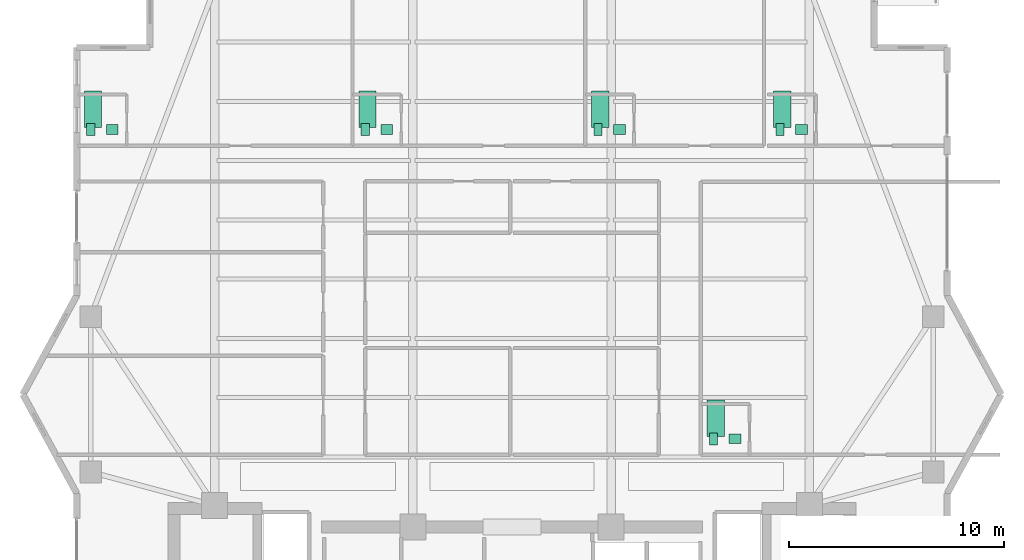
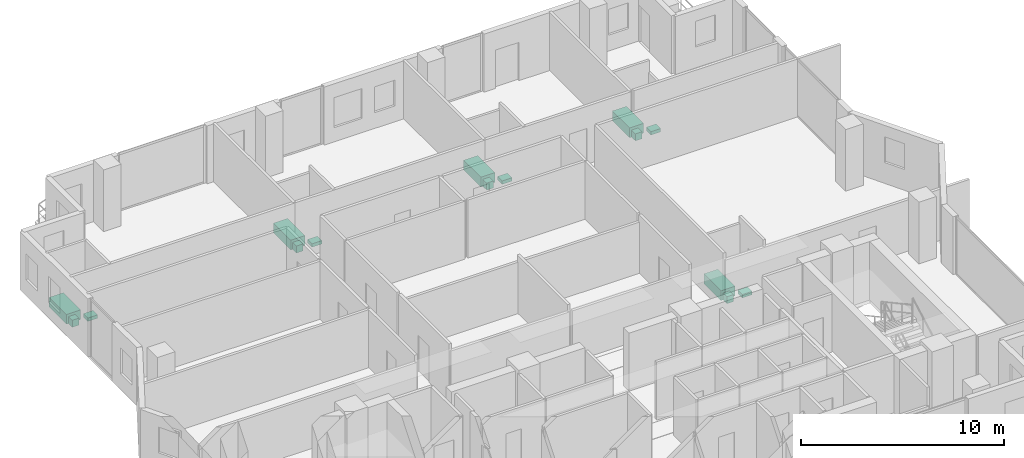
# One storey, part 24 of 24: 15 sanitary terminals.
"""IFC4 building model written with IfcOpenShell, lengths in metres."""

from ifc_helpers import new_model, si_unit, direction, frame, origin, origin_2d, place, context, subcontext, project, spatial, rectangle, extrude, material, type_object, element, save


model = new_model("IFC4")

# Units and contexts
model_context = context("Model", 3, precision=1e-05, world=origin(), true_north=direction((0.0, 1.0)))
body_context = subcontext(model_context, "Body", "Model", "MODEL_VIEW")
ifc_project = project(units=[si_unit("LENGTHUNIT", "METRE"), si_unit("AREAUNIT", "SQUARE_METRE"), si_unit("VOLUMEUNIT", "CUBIC_METRE"), si_unit("PLANEANGLEUNIT", "RADIAN"), si_unit("MASSUNIT", "GRAM", prefix="KILO")], contexts=[model_context])

# Site, building, storey
site_placement = place(None, origin())
site = spatial("IfcSite", under=ifc_project, at=site_placement, CompositionType="ELEMENT")
building_placement = place(site_placement, origin())
building = spatial("IfcBuilding", under=site, at=building_placement, Name="Zuhayl Quay Hotel", CompositionType="ELEMENT")
storey_placement = place(building_placement, frame((0.0, 0.0, 269.25)))
storey = spatial("IfcBuildingStorey", under=building, at=storey_placement, Name="L68", CompositionType="ELEMENT", Elevation=269.25)

# Sanitary terminals
ifc_material = material(Name="Vitreous Porcelain Sanitaryware")
sanitary_terminal_type_1 = type_object("IfcSanitaryTerminalType", Name="SAN_BASIN", PredefinedType="WASHHANDBASIN", material=ifc_material)
for number, where, z_axis, x_axis, name in (
    (1, (-18.550048828125, 31.7900390625, 0.0), (0.0, 0.0, 1.0), (1.0, 0.0, 0.0), "L68 Sanitary Fixture WASHHANDBASIN"),
    (2, (-5.81005859375, 31.7900390625, 0.0), (0.0, 0.0, 1.0), (1.0, 0.0, 0.0), "L68 Sanitary Fixture WASHHANDBASIN"),
    (3, (4.989990234375, 31.7900390625, 0.0), (0.0, 0.0, 1.0), (1.0, 0.0, 0.0), "L68 Sanitary Fixture WASHHANDBASIN"),
    (4, (13.43994140625, 31.7900390625, 0.0), (0.0, 0.0, 1.0), (1.0, 0.0, 0.0), "L68 Sanitary Fixture WASHHANDBASIN"),
    (5, (10.35009765625, 17.43994140625, 0.0), (0.0, 0.0, 1.0), (1.0, 0.0, 0.0), "L68 Sanitary Fixture WASHHANDBASIN"),
):
    element("IfcSanitaryTerminal", number, at=place(storey_placement, frame(where, z_axis=z_axis, x_axis=x_axis)), inside=storey, type_object=sanitary_terminal_type_1, Name=name, PredefinedType="WASHHANDBASIN", context=body_context, shape_type="SweptSolid", body=[
        extrude(rectangle(XDim=0.550048828125, YDim=0.449951171875, at=origin_2d()), origin(), (0.0, 0.0, 1.0), 0.199951171875),
    ])
sanitary_terminal_type_2 = type_object("IfcSanitaryTerminalType", Name="SAN_BATH", PredefinedType="BATH", material=ifc_material)
for number, where, z_axis, x_axis, name in (
    (6, (-19.449951171875, 32.739990234375, 0.0), (0.0, 0.0, 1.0), (1.0, 0.0, 0.0), "L68 Sanitary Fixture BATH"),
    (7, (-6.7099609375, 32.739990234375, 0.0), (0.0, 0.0, 1.0), (1.0, 0.0, 0.0), "L68 Sanitary Fixture BATH"),
    (8, (4.090087890625, 32.739990234375, 0.0), (0.0, 0.0, 1.0), (1.0, 0.0, 0.0), "L68 Sanitary Fixture BATH"),
    (9, (12.5400390625, 32.739990234375, 0.0), (0.0, 0.0, 1.0), (1.0, 0.0, 0.0), "L68 Sanitary Fixture BATH"),
    (10, (9.449951171875, 18.389892578125, 0.0), (0.0, 0.0, 1.0), (1.0, 0.0, 0.0), "L68 Sanitary Fixture BATH"),
):
    element("IfcSanitaryTerminal", number, at=place(storey_placement, frame(where, z_axis=z_axis, x_axis=x_axis)), inside=storey, type_object=sanitary_terminal_type_2, Name=name, PredefinedType="BATH", context=body_context, shape_type="SweptSolid", body=[
        extrude(rectangle(XDim=0.800048828125, YDim=1.699951171875, at=origin_2d()), origin(), (0.0, 0.0, 1.0), 0.580078125),
    ])
sanitary_terminal_type_3 = type_object("IfcSanitaryTerminalType", Name="SAN_WC", PredefinedType="TOILETPAN", material=ifc_material)
for number, where, z_axis, x_axis, name in (
    (11, (-19.550048828125, 31.7900390625, 0.0), (0.0, 0.0, 1.0), (1.0, 0.0, 0.0), "L68 Sanitary Fixture TOILETPAN"),
    (12, (-6.81005859375, 31.7900390625, 0.0), (0.0, 0.0, 1.0), (1.0, 0.0, 0.0), "L68 Sanitary Fixture TOILETPAN"),
    (13, (3.989990234375, 31.7900390625, 0.0), (0.0, 0.0, 1.0), (1.0, 0.0, 0.0), "L68 Sanitary Fixture TOILETPAN"),
    (14, (12.43994140625, 31.7900390625, 0.0), (0.0, 0.0, 1.0), (1.0, 0.0, 0.0), "L68 Sanitary Fixture TOILETPAN"),
    (15, (9.35009765625, 17.43994140625, 0.0), (0.0, 0.0, 1.0), (1.0, 0.0, 0.0), "L68 Sanitary Fixture TOILETPAN"),
):
    element("IfcSanitaryTerminal", number, at=place(storey_placement, frame(where, z_axis=z_axis, x_axis=x_axis)), inside=storey, type_object=sanitary_terminal_type_3, Name=name, PredefinedType="TOILETPAN", context=body_context, shape_type="SweptSolid", body=[
        extrude(rectangle(XDim=0.3798828125, YDim=0.56005859375, at=origin_2d()), origin(), (0.0, 0.0, 1.0), 0.419921875),
    ])

save(model, "model.ifc")
